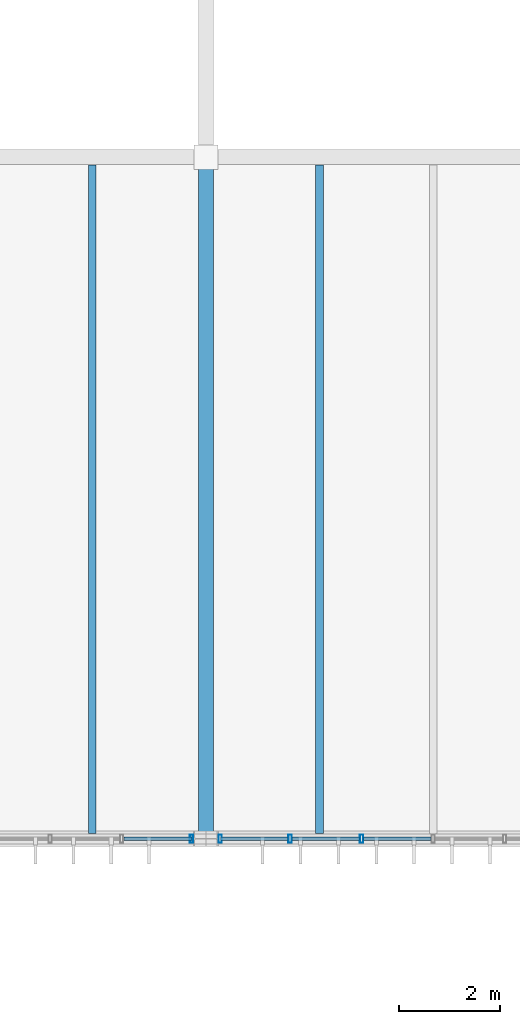
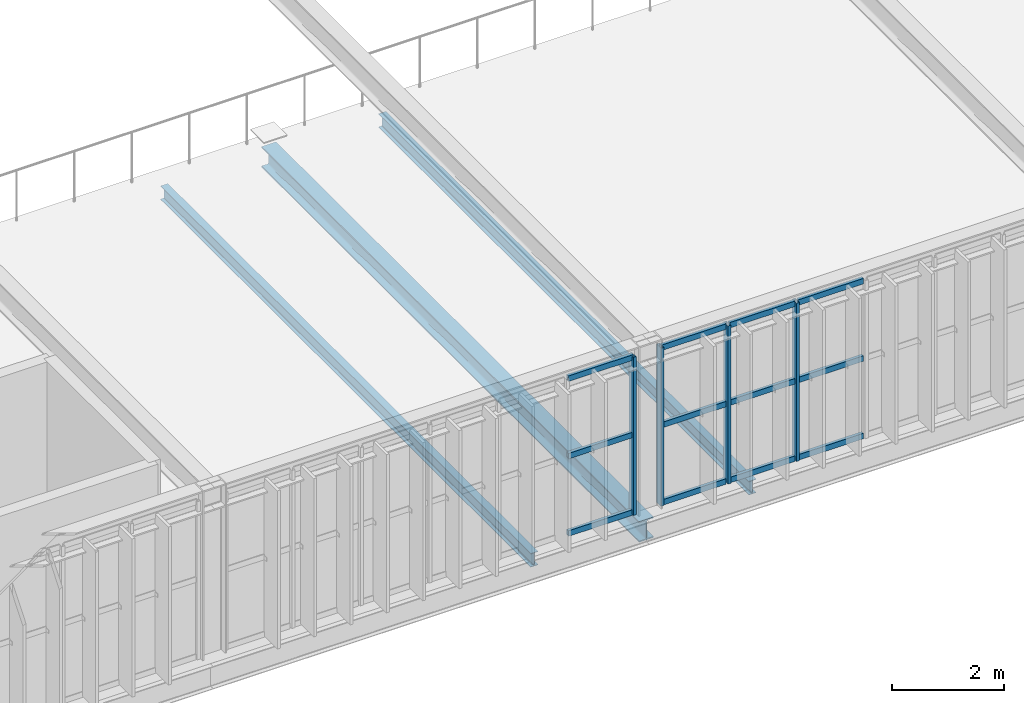
# One storey, part 40 of 152: 16 members, 3 beams, 2 elements without a shape of their own.
"""IFC4 building model written with IfcOpenShell, lengths in metres."""

from ifc_helpers import new_model, si_unit, derived_unit, direction, frame, origin, origin_2d, place, context, subcontext, project, spatial, hollow_rectangle, i_section, extrude, material, material_profile, profile_set, type_object, element, aggregate, save


model = new_model("IFC4")

# Units and contexts
model_context = context("Model", 3, precision=1e-05, world=origin(), true_north=direction((0.0, 1.0)))
body_context = subcontext(model_context, "Body", "Model", "MODEL_VIEW")
ifc_project = project(units=[si_unit("LENGTHUNIT", "METRE"), si_unit("AREAUNIT", "SQUARE_METRE"), si_unit("VOLUMEUNIT", "CUBIC_METRE"), si_unit("PLANEANGLEUNIT", "RADIAN"), si_unit("MASSUNIT", "GRAM", prefix="KILO"), si_unit("THERMODYNAMICTEMPERATUREUNIT", "KELVIN"), si_unit("TIMEUNIT", "SECOND"), derived_unit("THERMALTRANSMITTANCEUNIT", [(si_unit("MASSUNIT", "GRAM", prefix="KILO"), 1), (si_unit("THERMODYNAMICTEMPERATUREUNIT", "KELVIN"), -1), (si_unit("TIMEUNIT", "SECOND"), -3)])], contexts=[model_context])

# Site, building, storey
site_placement = place(None, origin())
site = spatial("IfcSite", under=ifc_project, at=site_placement, CompositionType="ELEMENT")
building_placement = place(site_placement, origin())
building = spatial("IfcBuilding", under=site, at=building_placement, Name="Cambertide Market Hall", CompositionType="ELEMENT")
storey_placement = place(building_placement, frame((0.0, 0.0, 5.39990234375)))
storey = spatial("IfcBuildingStorey", under=building, at=storey_placement, Name="L02", CompositionType="ELEMENT", Elevation=5.39990234375)

# Curtain wall, member
ifc_material_1 = material(Name="Marine Anodized Aluminium 6063-T6 AA25", Category="aluminium")
curtain_wall_type = type_object("IfcCurtainWallType", Name="Lantern Straight Upper Curtain Wall", PredefinedType="USERDEFINED", material=ifc_material_1)
curtain_wall_1_placement = place(storey_placement, origin())
curtain_wall_1 = element("IfcCurtainWall", 1, at=curtain_wall_1_placement, inside=storey, type_object=curtain_wall_type, Name="Level 2 Curtain Wall CW-V1S-L02-6", ObjectType="UNITIZED CURTAIN WALL", PredefinedType="USERDEFINED")
ifc_material_2 = material(Name="Champagne Marine Anodized Aluminium 6063-T6 AA25", Category="aluminium")
ifc_material_profile_1 = material_profile(ifc_material_2, hollow_rectangle(XDim=0.06494140625, YDim=0.159912109375, WallThickness=0.00341796875, at=origin_2d()), Name="ALU MULLION 65x160")
ifc_profile_set_1 = profile_set([ifc_material_profile_1], Name="Champagne Marine Anodized Aluminium 6063-T6 AA25")
member_type_1 = type_object("IfcMemberType", Name="Curtain Wall Mullion ALU MULLION 65x160", PredefinedType="MULLION", material=ifc_profile_set_1)
member_1_placement = place(storey_placement, frame((95.715087890625, 52.0, 0.0), z_axis=(0.0, 0.0, 1.0), x_axis=(-1.0, 0.0, 0.0)))
member_1 = element("IfcMember", 2, at=member_1_placement, type_object=member_type_1, Name="CW-V1S-L02-6 Mullion 1", PredefinedType="MULLION", context=body_context, shape_type="SweptSolid", body=[
    extrude(hollow_rectangle(XDim=0.06494140625, YDim=0.159912109375, WallThickness=0.00341796875, at=origin_2d()), origin(), (0.0, 0.0, 1.0), 3.4501953125),
])

# Curtain wall, members
curtain_wall_2_placement = place(storey_placement, origin())
curtain_wall_2 = element("IfcCurtainWall", 3, at=curtain_wall_2_placement, inside=storey, type_object=curtain_wall_type, Name="Level 2 Curtain Wall CW-V1S-L02-7", ObjectType="UNITIZED CURTAIN WALL", PredefinedType="USERDEFINED")
member_2_placement = place(storey_placement, frame((99.083251953125, 52.0, 0.0), z_axis=(0.0, 0.0, 1.0), x_axis=(-1.0, 0.0, 0.0)))
member_2 = element("IfcMember", 4, at=member_2_placement, type_object=member_type_1, Name="CW-V1S-L02-7 Mullion 5", PredefinedType="MULLION", context=body_context, shape_type="SweptSolid", body=[
    extrude(hollow_rectangle(XDim=0.06494140625, YDim=0.159912109375, WallThickness=0.00341796875, at=origin_2d()), origin(), (0.0, 0.0, 1.0), 3.4501953125),
])
member_3_placement = place(storey_placement, frame((97.666748046875, 52.0, 0.0), z_axis=(0.0, 0.0, 1.0), x_axis=(-1.0, 0.0, 0.0)))
member_3 = element("IfcMember", 5, at=member_3_placement, type_object=member_type_1, Name="CW-V1S-L02-7 Mullion 6", PredefinedType="MULLION", context=body_context, shape_type="SweptSolid", body=[
    extrude(hollow_rectangle(XDim=0.06494140625, YDim=0.159912109375, WallThickness=0.00341796875, at=origin_2d()), origin(), (0.0, 0.0, 1.0), 3.4501953125),
])
member_4_placement = place(storey_placement, frame((96.284912109375, 52.0, 0.0), z_axis=(0.0, 0.0, 1.0), x_axis=(-1.0, 0.0, 0.0)))
member_4 = element("IfcMember", 6, at=member_4_placement, type_object=member_type_1, Name="CW-V1S-L02-7 Mullion 7", PredefinedType="MULLION", context=body_context, shape_type="SweptSolid", body=[
    extrude(hollow_rectangle(XDim=0.06494140625, YDim=0.159912109375, WallThickness=0.00341796875, at=origin_2d()), origin(), (0.0, 0.0, 1.0), 3.4501953125),
])

# Member
ifc_material_3 = material(Name="Champagne Marine Anodized Aluminium 6063-T6 AA25", Category="aluminium")
ifc_material_profile_2 = material_profile(ifc_material_3, hollow_rectangle(XDim=0.06494140625, YDim=0.1201171875, WallThickness=0.003173828125, at=origin_2d()), Name="ALU TRANSOM 65x120")
ifc_profile_set_2 = profile_set([ifc_material_profile_2], Name="Champagne Marine Anodized Aluminium 6063-T6 AA25")
member_type_2 = type_object("IfcMemberType", Name="Curtain Wall Transom ALU TRANSOM 65x120", PredefinedType="USERDEFINED", material=ifc_profile_set_2)
member_5_placement = place(storey_placement, frame((95.7099609375, 52.0, 0.03515625), z_axis=(-1.0, 0.0, 0.0), x_axis=(0.0, -1.0, 0.0)))
member_5 = element("IfcMember", 7, at=member_5_placement, type_object=member_type_2, Name="CW-V1S-L02-6 Transom 1-1", ObjectType="TRANSOM", PredefinedType="USERDEFINED", context=body_context, shape_type="SweptSolid", body=[
    extrude(hollow_rectangle(XDim=0.06494140625, YDim=0.1201171875, WallThickness=0.003173828125, at=origin_2d()), origin(), (0.0, 0.0, 1.0), 1.336669921875),
])

member_6_placement = place(storey_placement, frame((95.7099609375, 52.0, 1.72509765625), z_axis=(-1.0, 0.0, 0.0), x_axis=(0.0, -1.0, 0.0)))
member_6 = element("IfcMember", 8, at=member_6_placement, type_object=member_type_2, Name="CW-V1S-L02-6 Transom 2-1", ObjectType="TRANSOM", PredefinedType="USERDEFINED", context=body_context, shape_type="SweptSolid", body=[
    extrude(hollow_rectangle(XDim=0.06494140625, YDim=0.1201171875, WallThickness=0.003173828125, at=origin_2d()), origin(), (0.0, 0.0, 1.0), 1.336669921875),
])

member_7_placement = place(storey_placement, frame((95.7099609375, 52.0, 3.4150390625), z_axis=(-1.0, 0.0, 0.0), x_axis=(0.0, -1.0, 0.0)))
member_7 = element("IfcMember", 9, at=member_7_placement, type_object=member_type_2, Name="CW-V1S-L02-6 Transom 3-1", ObjectType="TRANSOM", PredefinedType="USERDEFINED", context=body_context, shape_type="SweptSolid", body=[
    extrude(hollow_rectangle(XDim=0.06494140625, YDim=0.1201171875, WallThickness=0.003173828125, at=origin_2d()), origin(), (0.0, 0.0, 1.0), 1.336669921875),
])

aggregate(curtain_wall_1, [member_1, member_5, member_6, member_7])

member_8_placement = place(storey_placement, frame((100.4599609375, 52.0, 0.03515625), z_axis=(-1.0, 0.0, 0.0), x_axis=(0.0, -1.0, 0.0)))
member_8 = element("IfcMember", 10, at=member_8_placement, type_object=member_type_2, Name="CW-V1S-L02-7 Transom 1-4", ObjectType="TRANSOM", PredefinedType="USERDEFINED", context=body_context, shape_type="SweptSolid", body=[
    extrude(hollow_rectangle(XDim=0.06494140625, YDim=0.1201171875, WallThickness=0.003173828125, at=origin_2d()), origin(), (0.0, 0.0, 1.0), 1.336669921875),
])

member_9_placement = place(storey_placement, frame((99.043212890625, 52.0, 0.03515625), z_axis=(-1.0, 0.0, 0.0), x_axis=(0.0, -1.0, 0.0)))
member_9 = element("IfcMember", 11, at=member_9_placement, type_object=member_type_2, Name="CW-V1S-L02-7 Transom 1-5", ObjectType="TRANSOM", PredefinedType="USERDEFINED", context=body_context, shape_type="SweptSolid", body=[
    extrude(hollow_rectangle(XDim=0.06494140625, YDim=0.1201171875, WallThickness=0.003173828125, at=origin_2d()), origin(), (0.0, 0.0, 1.0), 1.33642578125),
])

member_10_placement = place(storey_placement, frame((97.626708984375, 52.0, 0.03515625), z_axis=(-1.0, 0.0, 0.0), x_axis=(0.0, -1.0, 0.0)))
member_10 = element("IfcMember", 12, at=member_10_placement, type_object=member_type_2, Name="CW-V1S-L02-7 Transom 1-6", ObjectType="TRANSOM", PredefinedType="USERDEFINED", context=body_context, shape_type="SweptSolid", body=[
    extrude(hollow_rectangle(XDim=0.06494140625, YDim=0.1201171875, WallThickness=0.003173828125, at=origin_2d()), origin(), (0.0, 0.0, 1.0), 1.336669921875),
])

member_11_placement = place(storey_placement, frame((100.4599609375, 52.0, 1.72509765625), z_axis=(-1.0, 0.0, 0.0), x_axis=(0.0, -1.0, 0.0)))
member_11 = element("IfcMember", 13, at=member_11_placement, type_object=member_type_2, Name="CW-V1S-L02-7 Transom 2-4", ObjectType="TRANSOM", PredefinedType="USERDEFINED", context=body_context, shape_type="SweptSolid", body=[
    extrude(hollow_rectangle(XDim=0.06494140625, YDim=0.1201171875, WallThickness=0.003173828125, at=origin_2d()), origin(), (0.0, 0.0, 1.0), 1.336669921875),
])

member_12_placement = place(storey_placement, frame((99.043212890625, 52.0, 1.72509765625), z_axis=(-1.0, 0.0, 0.0), x_axis=(0.0, -1.0, 0.0)))
member_12 = element("IfcMember", 14, at=member_12_placement, type_object=member_type_2, Name="CW-V1S-L02-7 Transom 2-5", ObjectType="TRANSOM", PredefinedType="USERDEFINED", context=body_context, shape_type="SweptSolid", body=[
    extrude(hollow_rectangle(XDim=0.06494140625, YDim=0.1201171875, WallThickness=0.003173828125, at=origin_2d()), origin(), (0.0, 0.0, 1.0), 1.33642578125),
])

member_13_placement = place(storey_placement, frame((97.626708984375, 52.0, 1.72509765625), z_axis=(-1.0, 0.0, 0.0), x_axis=(0.0, -1.0, 0.0)))
member_13 = element("IfcMember", 15, at=member_13_placement, type_object=member_type_2, Name="CW-V1S-L02-7 Transom 2-6", ObjectType="TRANSOM", PredefinedType="USERDEFINED", context=body_context, shape_type="SweptSolid", body=[
    extrude(hollow_rectangle(XDim=0.06494140625, YDim=0.1201171875, WallThickness=0.003173828125, at=origin_2d()), origin(), (0.0, 0.0, 1.0), 1.336669921875),
])

member_14_placement = place(storey_placement, frame((100.4599609375, 52.0, 3.4150390625), z_axis=(-1.0, 0.0, 0.0), x_axis=(0.0, -1.0, 0.0)))
member_14 = element("IfcMember", 16, at=member_14_placement, type_object=member_type_2, Name="CW-V1S-L02-7 Transom 3-4", ObjectType="TRANSOM", PredefinedType="USERDEFINED", context=body_context, shape_type="SweptSolid", body=[
    extrude(hollow_rectangle(XDim=0.06494140625, YDim=0.1201171875, WallThickness=0.003173828125, at=origin_2d()), origin(), (0.0, 0.0, 1.0), 1.336669921875),
])

member_15_placement = place(storey_placement, frame((99.043212890625, 52.0, 3.4150390625), z_axis=(-1.0, 0.0, 0.0), x_axis=(0.0, -1.0, 0.0)))
member_15 = element("IfcMember", 17, at=member_15_placement, type_object=member_type_2, Name="CW-V1S-L02-7 Transom 3-5", ObjectType="TRANSOM", PredefinedType="USERDEFINED", context=body_context, shape_type="SweptSolid", body=[
    extrude(hollow_rectangle(XDim=0.06494140625, YDim=0.1201171875, WallThickness=0.003173828125, at=origin_2d()), origin(), (0.0, 0.0, 1.0), 1.33642578125),
])

member_16_placement = place(storey_placement, frame((97.626708984375, 52.0, 3.4150390625), z_axis=(-1.0, 0.0, 0.0), x_axis=(0.0, -1.0, 0.0)))
member_16 = element("IfcMember", 18, at=member_16_placement, type_object=member_type_2, Name="CW-V1S-L02-7 Transom 3-6", ObjectType="TRANSOM", PredefinedType="USERDEFINED", context=body_context, shape_type="SweptSolid", body=[
    extrude(hollow_rectangle(XDim=0.06494140625, YDim=0.1201171875, WallThickness=0.003173828125, at=origin_2d()), origin(), (0.0, 0.0, 1.0), 1.336669921875),
])

aggregate(curtain_wall_2, [member_2, member_3, member_4, member_8, member_9, member_10, member_11, member_12, member_13, member_14, member_15, member_16])

# Beams
ifc_material_4 = material(Name="Steel S355", Category="steel")
ifc_material_profile_3 = material_profile(ifc_material_4, i_section(OverallWidth=0.300048828125, OverallDepth=0.449951171875, WebThickness=0.013916015625, FlangeThickness=0.02587890625, FilletRadius=0.027099609375, at=origin_2d()), Name="HEB 450")
ifc_profile_set_3 = profile_set([ifc_material_profile_3], Name="Steel S355")
beam_type_1 = type_object("IfcBeamType", Name="Steel Girder HEB 450", PredefinedType="BEAM", material=ifc_profile_set_3)
beam_placement = place(storey_placement, frame((96.0, 52.0, -0.46484375), z_axis=(0.0, 1.0, 0.0), x_axis=(-1.0, 0.0, 0.0)))
element("IfcBeam", 19, at=beam_placement, inside=storey, type_object=beam_type_1, Name="Level 2 Beam BM-V1TS-L02-7", PredefinedType="BEAM", context=body_context, shape_type="SweptSolid", body=[
    extrude(i_section(OverallWidth=0.300048828125, OverallDepth=0.449951171875, WebThickness=0.013916015625, FlangeThickness=0.02587890625, FilletRadius=0.027099609375, at=origin_2d()), origin(), (0.0, 0.0, 1.0), 13.5),
])
ifc_material_5 = material(Name="Steel S275", Category="steel")
ifc_material_profile_4 = material_profile(ifc_material_5, i_section(OverallWidth=0.14990234375, OverallDepth=0.300048828125, WebThickness=0.007080078125, FlangeThickness=0.0107421875, FilletRadius=0.014892578125, at=origin_2d()), Name="IPE 300")
ifc_profile_set_4 = profile_set([ifc_material_profile_4], Name="Steel S275")
beam_type_2 = type_object("IfcBeamType", Name="Steel Secondary Joist IPE 300", PredefinedType="JOIST", material=ifc_profile_set_4)
for number, where, z_axis, x_axis, name in (
    (20, (93.75, 52.10791015625, -0.389892578125), (0.0, 1.0, 0.0), (-1.0, 0.0, 0.0), "Level 2 Joist JS-V1S-L02-6-3"),
    (21, (98.25, 52.10791015625, -0.389892578125), (0.0, 1.0, 0.0), (-1.0, 0.0, 0.0), "Level 2 Joist JS-V1S-L02-7-1"),
):
    element("IfcBeam", number, at=place(storey_placement, frame(where, z_axis=z_axis, x_axis=x_axis)), inside=storey, type_object=beam_type_2, Name=name, PredefinedType="JOIST", context=body_context, shape_type="SweptSolid", body=[
        extrude(i_section(OverallWidth=0.14990234375, OverallDepth=0.300048828125, WebThickness=0.007080078125, FlangeThickness=0.0107421875, FilletRadius=0.014892578125, at=origin_2d()), origin(), (0.0, 0.0, 1.0), 13.234130859375),
    ])

save(model, "model.ifc")
